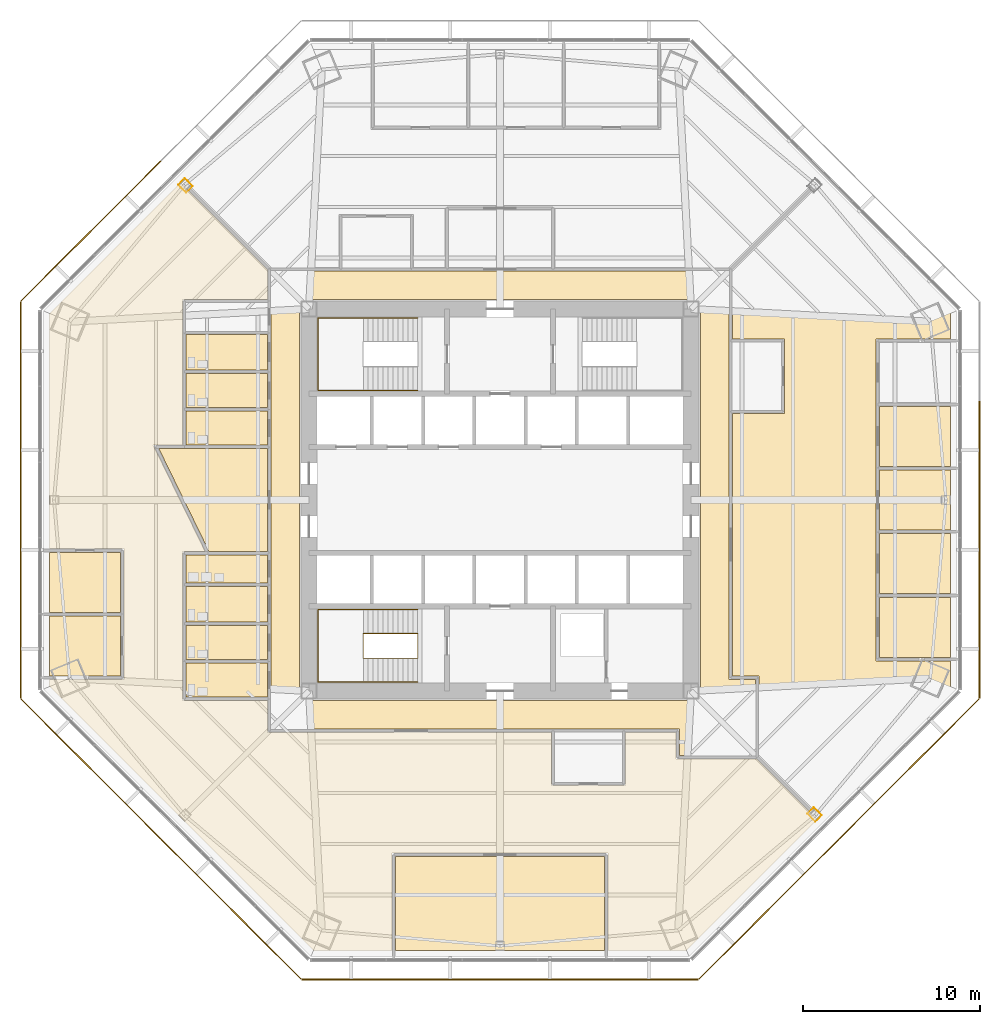
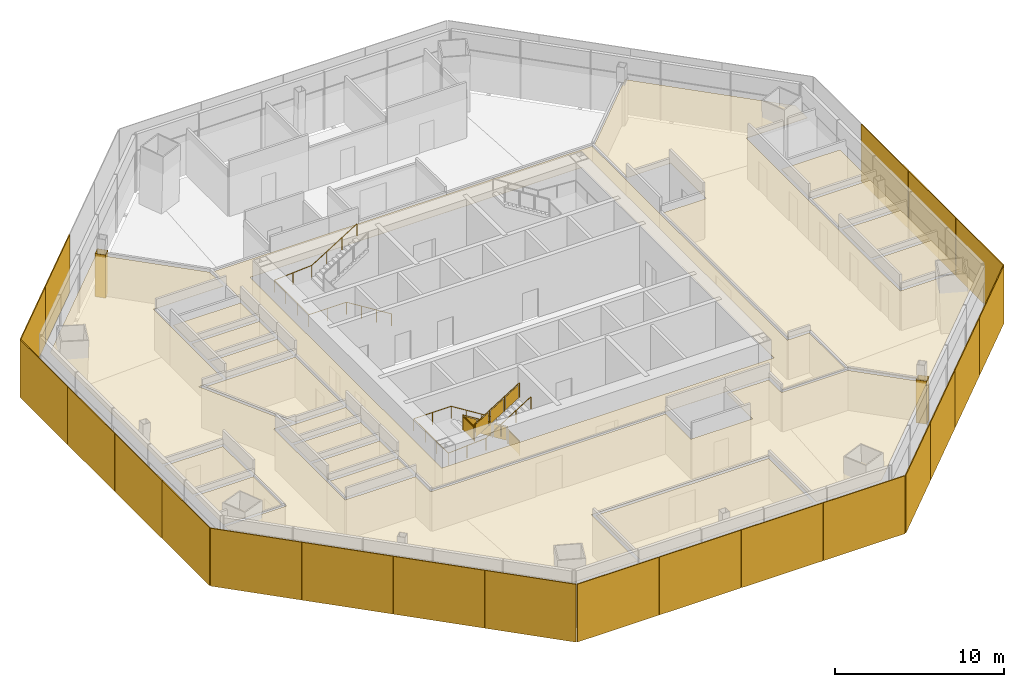
# One storey, part 13 of 15: 21 shading devices, 20 coverings, 3 railings.
"""IFC4 building model written with IfcOpenShell, lengths in metres."""

from ifc_helpers import new_model, si_unit, direction, frame, origin, origin_2d, place, context, subcontext, project, spatial, polyline, rectangle, circle, outline, extrude, source, transform, mapped, material, layer, layer_set, type_object, type_shapes, element, save


model = new_model("IFC4")

# Units and contexts
model_context = context("Model", 3, precision=1e-05, world=origin(), true_north=direction((0.0, 1.0)))
body_context = subcontext(model_context, "Body", "Model", "MODEL_VIEW")
ifc_project = project(units=[si_unit("LENGTHUNIT", "METRE"), si_unit("AREAUNIT", "SQUARE_METRE"), si_unit("VOLUMEUNIT", "CUBIC_METRE"), si_unit("PLANEANGLEUNIT", "RADIAN"), si_unit("MASSUNIT", "GRAM", prefix="KILO")], contexts=[model_context])

# Site, building, storey
site_placement = place(None, origin())
site = spatial("IfcSite", under=ifc_project, at=site_placement, CompositionType="ELEMENT")
building_placement = place(site_placement, origin())
building = spatial("IfcBuilding", under=site, at=building_placement, Name="Mashrafa Tower", CompositionType="ELEMENT")
storey_placement = place(building_placement, frame((0.0, 0.0, 70.800048828125)))
storey = spatial("IfcBuildingStorey", under=building, at=storey_placement, Name="L15", CompositionType="ELEMENT", Elevation=70.800048828125)

# Coverings
ifc_material_1 = material(Name="Gypsum board")
ifc_layer_1 = layer(ifc_material_1, 0.014892578125)
ifc_layer_set_1 = layer_set([ifc_layer_1], Name="Column casing plasterboard 15")
covering_type_1 = type_object("IfcCoveringType", Name="Column casing plasterboard 15", PredefinedType="CLADDING", material=ifc_layer_set_1)
covering_1_placement = place(storey_placement, origin())
element("IfcCovering", 1, at=covering_1_placement, inside=storey, type_object=covering_type_1, Name="Column casing L15-002", PredefinedType="CLADDING", context=body_context, shape_type="SweptSolid", body=[
    extrude(outline(polyline([(-18.202392578125, 17.82763671875), (-17.82763671875, 18.202392578125), (-17.36865234375, 17.743408203125), (-17.743408203125, 17.36865234375), (-18.202392578125, 17.82763671875)]), holes=[polyline([(-17.389892578125, 17.743408203125), (-17.82763671875, 18.18115234375), (-18.18115234375, 17.82763671875), (-17.743408203125, 17.389892578125), (-17.389892578125, 17.743408203125)])]), origin(), (0.0, 0.0, 1.0), 3.113037109375),
])
covering_2_placement = place(storey_placement, origin())
element("IfcCovering", 2, at=covering_2_placement, inside=storey, type_object=covering_type_1, Name="Column casing L15-003", PredefinedType="CLADDING", context=body_context, shape_type="SweptSolid", body=[
    extrude(outline(polyline([(17.36865234375, -17.743408203125), (17.743408203125, -17.36865234375), (18.202392578125, -17.82763671875), (17.82763671875, -18.202392578125), (17.36865234375, -17.743408203125)]), holes=[polyline([(18.18115234375, -17.82763671875), (17.743408203125, -17.389892578125), (17.389892578125, -17.743408203125), (17.82763671875, -18.18115234375), (18.18115234375, -17.82763671875)])]), origin(), (0.0, 0.0, 1.0), 3.113037109375),
])

# Railings
ifc_material_2 = material(Name="Steel guard with glass infill", Category="steel")
railing_type_1 = type_object("IfcRailingType", Name="Stair guard 1100", PredefinedType="GUARDRAIL", material=ifc_material_2)
railing_1_placement = place(storey_placement, frame((-4.64990234375, -8.949951171875, 0.0)))
element("IfcRailing", 3, at=railing_1_placement, inside=storey, type_object=railing_type_1, Name="Stair S3 guard L15", PredefinedType="GUARDRAIL", context=body_context, shape_type="SweptSolid", body=[
    extrude(circle(Radius=0.02392578125, at=origin_2d()), frame((0.0, 0.0, 1.076171875), z_axis=(0.0, 1.0, 0.0), x_axis=(-1.0, 0.0, 0.0)), (0.0, 0.0, 1.0), 1.39990234375),
    extrude(circle(Radius=0.02392578125, at=origin_2d()), frame((0.0, 1.39990234375, 1.076171875), z_axis=(0.0, 0.0, 1.0), x_axis=(1.0, 0.0, 0.0)), (0.0, 0.0, 1.0), 0.175048828125),
    extrude(circle(Radius=0.02392578125, at=origin_2d()), frame((0.0, 1.39990234375, 1.2509765625), z_axis=(-0.848028513186, 0.0, 0.529950602248), x_axis=(0.0, -1.0, 0.0)), (0.0, 0.0, 1.0), 3.632080078125),
    extrude(circle(Radius=0.02392578125, at=origin_2d()), frame((-3.080078125, 1.39990234375, 3.17578125), z_axis=(0.0, -1.0, 0.0), x_axis=(1.0, 0.0, 0.0)), (0.0, 0.0, 1.0), 1.39990234375),
    extrude(circle(Radius=0.02392578125, at=origin_2d()), frame((-3.080078125, 0.0, 3.17578125), z_axis=(0.0, 0.0, 1.0), x_axis=(1.0, 0.0, 0.0)), (0.0, 0.0, 1.0), 0.175048828125),
    extrude(circle(Radius=0.02392578125, at=origin_2d()), frame((-3.080078125, 0.0, 3.35107421875), z_axis=(0.847998304005, 0.0, 0.529998940003), x_axis=(0.0, 1.0, 0.0)), (0.0, 0.0, 1.0), 3.632080078125),
    extrude(circle(Radius=0.02099609375, at=origin_2d()), origin(), (0.0, 0.0, 1.0), 1.052001953125),
    extrude(circle(Radius=0.02099609375, at=origin_2d()), frame((0.0, 1.39990234375, 0.0)), (0.0, 0.0, 1.0), 1.052001953125),
    extrude(circle(Radius=0.02099609375, at=origin_2d()), frame((0.0, 1.39990234375, 0.175048828125)), (0.0, 0.0, 1.0), 1.052001953125),
    extrude(circle(Radius=0.02099609375, at=origin_2d()), frame((-1.026611328125, 1.39990234375, 0.816650390625)), (0.0, 0.0, 1.0), 1.052001953125),
    extrude(circle(Radius=0.02099609375, at=origin_2d()), frame((-2.053466796875, 1.39990234375, 1.458251953125)), (0.0, 0.0, 1.0), 1.052001953125),
    extrude(circle(Radius=0.02099609375, at=origin_2d()), frame((-3.080078125, 1.39990234375, 2.099853515625)), (0.0, 0.0, 1.0), 1.052001953125),
    extrude(circle(Radius=0.02099609375, at=origin_2d()), frame((-3.080078125, 0.0, 2.099853515625)), (0.0, 0.0, 1.0), 1.052001953125),
    extrude(circle(Radius=0.02099609375, at=origin_2d()), frame((-3.080078125, 0.0, 2.27490234375)), (0.0, 0.0, 1.0), 1.052001953125),
    extrude(circle(Radius=0.02099609375, at=origin_2d()), frame((-2.053466796875, 0.0, 2.91650390625)), (0.0, 0.0, 1.0), 1.052001953125),
    extrude(circle(Radius=0.02099609375, at=origin_2d()), frame((-1.026611328125, 0.0, 3.558349609375)), (0.0, 0.0, 1.0), 1.052001953125),
    extrude(circle(Radius=0.02099609375, at=origin_2d()), frame((0.0, 0.0, 4.199951171875)), (0.0, 0.0, 1.0), 1.052001953125),
    extrude(outline(polyline([(0.071044921875, 0.050048828125), (1.328857421875, 0.050048828125), (1.328857421875, 1.001953125), (0.071044921875, 1.001953125), (0.071044921875, 0.050048828125)])), frame((0.006103515625, 0.0, 0.0), z_axis=(1.0, 0.0, 0.0), x_axis=(0.0, 1.0, 0.0)), (0.0, 0.0, 1.0), 0.011962890625),
    extrude(outline(polyline([(0.071044921875, 0.094482421875), (0.955810546875, 0.647216796875), (0.955810546875, 1.59912109375), (0.071044921875, 1.04638671875), (0.071044921875, 0.094482421875)])), frame((0.0, 1.406005859375, 0.175048828125), z_axis=(0.0, 1.0, 0.0), x_axis=(-1.0, 0.0, 0.0)), (0.0, 0.0, 1.0), 0.011962890625),
    extrude(outline(polyline([(1.09765625, 0.736083984375), (1.982421875, 1.288818359375), (1.982421875, 2.24072265625), (1.09765625, 1.68798828125), (1.09765625, 0.736083984375)])), frame((0.0, 1.406005859375, 0.175048828125), z_axis=(0.0, 1.0, 0.0), x_axis=(-1.0, 0.0, 0.0)), (0.0, 0.0, 1.0), 0.011962890625),
    extrude(outline(polyline([(2.124267578125, 1.377685546875), (3.009033203125, 1.930419921875), (3.009033203125, 2.88232421875), (2.124267578125, 2.32958984375), (2.124267578125, 1.377685546875)])), frame((0.0, 1.406005859375, 0.175048828125), z_axis=(0.0, 1.0, 0.0), x_axis=(-1.0, 0.0, 0.0)), (0.0, 0.0, 1.0), 0.011962890625),
    extrude(outline(polyline([(0.071044921875, 0.050048828125), (1.328857421875, 0.050048828125), (1.328857421875, 1.001953125), (0.071044921875, 1.001953125), (0.071044921875, 0.050048828125)])), frame((-3.086181640625, 1.39990234375, 2.099853515625), z_axis=(-1.0, 0.0, 0.0), x_axis=(0.0, -1.0, 0.0)), (0.0, 0.0, 1.0), 0.011962890625),
    extrude(outline(polyline([(0.071044921875, 0.094482421875), (0.955810546875, 0.647216796875), (0.955810546875, 1.599365234375), (0.071044921875, 1.04638671875), (0.071044921875, 0.094482421875)])), frame((-3.080078125, -0.006103515625, 2.27490234375), z_axis=(0.0, -1.0, 0.0), x_axis=(1.0, 0.0, 0.0)), (0.0, 0.0, 1.0), 0.011962890625),
    extrude(outline(polyline([(1.09765625, 0.736083984375), (1.982421875, 1.2890625), (1.982421875, 2.240966796875), (1.09765625, 1.68798828125), (1.09765625, 0.736083984375)])), frame((-3.080078125, -0.006103515625, 2.27490234375), z_axis=(0.0, -1.0, 0.0), x_axis=(1.0, 0.0, 0.0)), (0.0, 0.0, 1.0), 0.011962890625),
    extrude(outline(polyline([(2.124267578125, 1.377685546875), (3.009033203125, 1.9306640625), (3.009033203125, 2.882568359375), (2.124267578125, 2.329833984375), (2.124267578125, 1.377685546875)])), frame((-3.080078125, -0.006103515625, 2.27490234375), z_axis=(0.0, -1.0, 0.0), x_axis=(1.0, 0.0, 0.0)), (0.0, 0.0, 1.0), 0.011962890625),
])
ifc_material_3 = material(Name="Steel", Category="steel")
railing_type_2 = type_object("IfcRailingType", Name="Stair handrail 900", PredefinedType="HANDRAIL", material=ifc_material_3)
railing_2_placement = place(storey_placement, frame((-4.64990234375, 6.199951171875, 0.175048828125)))
element("IfcRailing", 4, at=railing_2_placement, inside=storey, type_object=railing_type_2, Name="Stair S1 handrail L15", PredefinedType="HANDRAIL", context=body_context, shape_type="SweptSolid", body=[
    extrude(circle(Radius=0.02392578125, at=origin_2d()), frame((0.0, 0.0, 0.8759765625), z_axis=(-0.848028513186, 0.0, 0.529950602248), x_axis=(0.0, -1.0, 0.0)), (0.0, 0.0, 1.0), 3.632080078125),
    extrude(circle(Radius=0.02392578125, at=origin_2d()), frame((-3.080078125, 0.0, 2.80078125), z_axis=(-1.0, 0.0, 0.0), x_axis=(0.0, -1.0, 0.0)), (0.0, 0.0, 1.0), 2.570068359375),
    extrude(circle(Radius=0.02392578125, at=origin_2d()), frame((-5.650146484375, 0.0, 2.80078125), z_axis=(0.0, 1.0, 0.0), x_axis=(-1.0, 0.0, 0.0)), (0.0, 0.0, 1.0), 4.10009765625),
    extrude(circle(Radius=0.02392578125, at=origin_2d()), frame((-5.650146484375, 4.10009765625, 2.80078125), z_axis=(0.997688514158, 0.0, 0.067953136188), x_axis=(0.0, 1.0, 0.0)), (0.0, 0.0, 1.0), 2.575927734375),
    extrude(circle(Radius=0.02392578125, at=origin_2d()), frame((-3.080078125, 4.10009765625, 2.9755859375), z_axis=(0.847998304005, 0.0, 0.529998940003), x_axis=(0.0, 1.0, 0.0)), (0.0, 0.0, 1.0), 3.632080078125),
    extrude(circle(Radius=0.02099609375, at=origin_2d()), origin(), (0.0, 0.0, 1.0), 0.851806640625),
    extrude(circle(Radius=0.02099609375, at=origin_2d()), frame((-1.026611328125, 0.0, 0.6416015625)), (0.0, 0.0, 1.0), 0.851806640625),
    extrude(circle(Radius=0.02099609375, at=origin_2d()), frame((-2.053466796875, 0.0, 1.283203125)), (0.0, 0.0, 1.0), 0.851806640625),
    extrude(circle(Radius=0.02099609375, at=origin_2d()), frame((-3.080078125, 0.0, 1.9248046875)), (0.0, 0.0, 1.0), 0.851806640625),
    extrude(circle(Radius=0.02099609375, at=origin_2d()), frame((-4.365234375, 0.0, 1.9248046875)), (0.0, 0.0, 1.0), 0.851806640625),
    extrude(circle(Radius=0.02099609375, at=origin_2d()), frame((-5.650146484375, 0.0, 1.9248046875)), (0.0, 0.0, 1.0), 0.851806640625),
    extrude(circle(Radius=0.02099609375, at=origin_2d()), frame((-5.650146484375, 1.36669921875, 1.9248046875)), (0.0, 0.0, 1.0), 0.851806640625),
    extrude(circle(Radius=0.02099609375, at=origin_2d()), frame((-5.650146484375, 2.7333984375, 1.9248046875)), (0.0, 0.0, 1.0), 0.851806640625),
    extrude(circle(Radius=0.02099609375, at=origin_2d()), frame((-5.650146484375, 4.10009765625, 1.9248046875)), (0.0, 0.0, 1.0), 0.851806640625),
    extrude(circle(Radius=0.02099609375, at=origin_2d()), frame((-4.365234375, 4.10009765625, 2.01220703125)), (0.0, 0.0, 1.0), 0.851806640625),
    extrude(circle(Radius=0.02099609375, at=origin_2d()), frame((-3.080078125, 4.10009765625, 2.099853515625)), (0.0, 0.0, 1.0), 0.851806640625),
    extrude(circle(Radius=0.02099609375, at=origin_2d()), frame((-2.053466796875, 4.10009765625, 2.741455078125)), (0.0, 0.0, 1.0), 0.851806640625),
    extrude(circle(Radius=0.02099609375, at=origin_2d()), frame((-1.026611328125, 4.10009765625, 3.38330078125)), (0.0, 0.0, 1.0), 0.851806640625),
    extrude(circle(Radius=0.02099609375, at=origin_2d()), frame((0.0, 4.10009765625, 4.02490234375)), (0.0, 0.0, 1.0), 0.851806640625),
])
railing_3_placement = place(storey_placement, frame((-4.64990234375, -6.199951171875, 0.175048828125)))
element("IfcRailing", 5, at=railing_3_placement, inside=storey, type_object=railing_type_2, Name="Stair S3 handrail L15", PredefinedType="HANDRAIL", context=body_context, shape_type="SweptSolid", body=[
    extrude(circle(Radius=0.02392578125, at=origin_2d()), frame((0.0, 0.0, 0.8759765625), z_axis=(-0.848028513186, 0.0, 0.529950602248), x_axis=(0.0, -1.0, 0.0)), (0.0, 0.0, 1.0), 3.632080078125),
    extrude(circle(Radius=0.02392578125, at=origin_2d()), frame((-3.080078125, 0.0, 2.80078125), z_axis=(-1.0, 0.0, 0.0), x_axis=(0.0, -1.0, 0.0)), (0.0, 0.0, 1.0), 2.570068359375),
    extrude(circle(Radius=0.02392578125, at=origin_2d()), frame((-5.650146484375, 0.0, 2.80078125), z_axis=(0.0, -1.0, 0.0), x_axis=(1.0, 0.0, 0.0)), (0.0, 0.0, 1.0), 4.10009765625),
    extrude(circle(Radius=0.02392578125, at=origin_2d()), frame((-5.650146484375, -4.10009765625, 2.80078125), z_axis=(0.997688514158, 0.0, 0.067953136188), x_axis=(0.0, 1.0, 0.0)), (0.0, 0.0, 1.0), 2.575927734375),
    extrude(circle(Radius=0.02392578125, at=origin_2d()), frame((-3.080078125, -4.10009765625, 2.9755859375), z_axis=(0.847998304005, 0.0, 0.529998940003), x_axis=(0.0, 1.0, 0.0)), (0.0, 0.0, 1.0), 3.632080078125),
    extrude(circle(Radius=0.02099609375, at=origin_2d()), origin(), (0.0, 0.0, 1.0), 0.851806640625),
    extrude(circle(Radius=0.02099609375, at=origin_2d()), frame((-1.026611328125, 0.0, 0.6416015625)), (0.0, 0.0, 1.0), 0.851806640625),
    extrude(circle(Radius=0.02099609375, at=origin_2d()), frame((-2.053466796875, 0.0, 1.283203125)), (0.0, 0.0, 1.0), 0.851806640625),
    extrude(circle(Radius=0.02099609375, at=origin_2d()), frame((-3.080078125, 0.0, 1.9248046875)), (0.0, 0.0, 1.0), 0.851806640625),
    extrude(circle(Radius=0.02099609375, at=origin_2d()), frame((-4.365234375, 0.0, 1.9248046875)), (0.0, 0.0, 1.0), 0.851806640625),
    extrude(circle(Radius=0.02099609375, at=origin_2d()), frame((-5.650146484375, 0.0, 1.9248046875)), (0.0, 0.0, 1.0), 0.851806640625),
    extrude(circle(Radius=0.02099609375, at=origin_2d()), frame((-5.650146484375, -1.36669921875, 1.9248046875)), (0.0, 0.0, 1.0), 0.851806640625),
    extrude(circle(Radius=0.02099609375, at=origin_2d()), frame((-5.650146484375, -2.7333984375, 1.9248046875)), (0.0, 0.0, 1.0), 0.851806640625),
    extrude(circle(Radius=0.02099609375, at=origin_2d()), frame((-5.650146484375, -4.10009765625, 1.9248046875)), (0.0, 0.0, 1.0), 0.851806640625),
    extrude(circle(Radius=0.02099609375, at=origin_2d()), frame((-4.365234375, -4.10009765625, 2.01220703125)), (0.0, 0.0, 1.0), 0.851806640625),
    extrude(circle(Radius=0.02099609375, at=origin_2d()), frame((-3.080078125, -4.10009765625, 2.099853515625)), (0.0, 0.0, 1.0), 0.851806640625),
    extrude(circle(Radius=0.02099609375, at=origin_2d()), frame((-2.053466796875, -4.10009765625, 2.741455078125)), (0.0, 0.0, 1.0), 0.851806640625),
    extrude(circle(Radius=0.02099609375, at=origin_2d()), frame((-1.026611328125, -4.10009765625, 3.38330078125)), (0.0, 0.0, 1.0), 0.851806640625),
    extrude(circle(Radius=0.02099609375, at=origin_2d()), frame((0.0, -4.10009765625, 4.02490234375)), (0.0, 0.0, 1.0), 0.851806640625),
])

# Coverings
ifc_material_4 = material(Name="Mineral fibre tile on suspension grid")
ifc_layer_2 = layer(ifc_material_4, 0.014892578125)
ifc_layer_set_2 = layer_set([ifc_layer_2], Name="Suspended ceiling mineral tile 15")
covering_type_2 = type_object("IfcCoveringType", Name="Suspended ceiling mineral tile 15", PredefinedType="CEILING", material=ifc_layer_set_2)
covering_3_placement = place(storey_placement, frame((0.0, 0.0, 2.89990234375)))
element("IfcCovering", 6, at=covering_3_placement, inside=storey, type_object=covering_type_2, Name="Ceiling Office Corridor L15", PredefinedType="CEILING", context=body_context, shape_type="SweptSolid", body=[
    extrude(outline(polyline([(14.449951171875, -10.14990234375), (14.449951171875, -14.449951171875), (10.14990234375, -14.449951171875), (10.14990234375, -12.949951171875), (-12.949951171875, -12.949951171875), (-12.949951171875, 12.949951171875), (12.949951171875, 12.949951171875), (12.949951171875, -10.14990234375), (14.449951171875, -10.14990234375)]), holes=[polyline([(11.35009765625, 11.35009765625), (-11.35009765625, 11.35009765625), (-11.35009765625, -11.35009765625), (11.35009765625, -11.35009765625), (11.35009765625, 11.35009765625)])]), origin(), (0.0, 0.0, 1.0), 0.01513671875),
])
covering_4_placement = place(storey_placement, frame((0.0, 0.0, 2.89990234375)))
element("IfcCovering", 7, at=covering_4_placement, inside=storey, type_object=covering_type_2, Name="Ceiling WC Female L15 N", PredefinedType="CEILING", context=body_context, shape_type="SweptSolid", body=[
    extrude(outline(polyline([(-17.75, 3.10009765625), (-17.75, 5.02490234375), (-13.14990234375, 5.02490234375), (-13.14990234375, 3.10009765625), (-17.75, 3.10009765625)])), origin(), (0.0, 0.0, 1.0), 0.01513671875),
])
covering_5_placement = place(storey_placement, frame((0.0, 0.0, 2.89990234375)))
element("IfcCovering", 8, at=covering_5_placement, inside=storey, type_object=covering_type_2, Name="Ceiling WC Male L15 N", PredefinedType="CEILING", context=body_context, shape_type="SweptSolid", body=[
    extrude(outline(polyline([(-17.75, 5.22509765625), (-17.75, 7.14990234375), (-13.14990234375, 7.14990234375), (-13.14990234375, 5.22509765625), (-17.75, 5.22509765625)])), origin(), (0.0, 0.0, 1.0), 0.01513671875),
])
covering_6_placement = place(storey_placement, frame((0.0, 0.0, 2.89990234375)))
element("IfcCovering", 9, at=covering_6_placement, inside=storey, type_object=covering_type_2, Name="Ceiling Accessible WC L15 N", PredefinedType="CEILING", context=body_context, shape_type="SweptSolid", body=[
    extrude(outline(polyline([(-17.75, 7.35009765625), (-17.75, 9.35009765625), (-13.14990234375, 9.35009765625), (-13.14990234375, 7.35009765625), (-17.75, 7.35009765625)])), origin(), (0.0, 0.0, 1.0), 0.01513671875),
])
covering_7_placement = place(storey_placement, frame((0.0, 0.0, 2.89990234375)))
element("IfcCovering", 10, at=covering_7_placement, inside=storey, type_object=covering_type_2, Name="Ceiling WC Female L15 S", PredefinedType="CEILING", context=body_context, shape_type="SweptSolid", body=[
    extrude(outline(polyline([(-17.75, -11.14990234375), (-17.75, -9.22509765625), (-13.14990234375, -9.22509765625), (-13.14990234375, -11.14990234375), (-17.75, -11.14990234375)])), origin(), (0.0, 0.0, 1.0), 0.01513671875),
])
covering_8_placement = place(storey_placement, frame((0.0, 0.0, 2.89990234375)))
element("IfcCovering", 11, at=covering_8_placement, inside=storey, type_object=covering_type_2, Name="Ceiling WC Male L15 S", PredefinedType="CEILING", context=body_context, shape_type="SweptSolid", body=[
    extrude(outline(polyline([(-17.75, -9.02490234375), (-17.75, -7.10009765625), (-13.14990234375, -7.10009765625), (-13.14990234375, -9.02490234375), (-17.75, -9.02490234375)])), origin(), (0.0, 0.0, 1.0), 0.01513671875),
])
covering_9_placement = place(storey_placement, frame((0.0, 0.0, 2.89990234375)))
element("IfcCovering", 12, at=covering_9_placement, inside=storey, type_object=covering_type_2, Name="Ceiling Accessible WC L15 S", PredefinedType="CEILING", context=body_context, shape_type="SweptSolid", body=[
    extrude(outline(polyline([(-17.75, -6.89990234375), (-17.75, -4.89990234375), (-13.14990234375, -4.89990234375), (-13.14990234375, -6.89990234375), (-17.75, -6.89990234375)])), origin(), (0.0, 0.0, 1.0), 0.01513671875),
])
covering_10_placement = place(storey_placement, frame((0.0, 0.0, 2.89990234375)))
element("IfcCovering", 13, at=covering_10_placement, inside=storey, type_object=covering_type_2, Name="Ceiling Ablution Room L15 S", PredefinedType="CEILING", context=body_context, shape_type="SweptSolid", body=[
    extrude(outline(polyline([(-17.75, -4.699951171875), (-17.75, -3.10009765625), (-13.14990234375, -3.10009765625), (-13.14990234375, -4.699951171875), (-17.75, -4.699951171875)])), origin(), (0.0, 0.0, 1.0), 0.01513671875),
])
covering_11_placement = place(storey_placement, frame((0.0, 0.0, 2.89990234375)))
element("IfcCovering", 14, at=covering_11_placement, inside=storey, type_object=covering_type_2, Name="Ceiling Musallah Prayer Room 15", PredefinedType="CEILING", context=body_context, shape_type="SweptSolid", body=[
    extrude(outline(polyline([(-16.461181640625, -2.89990234375), (-19.2900390625, 2.89990234375), (-13.14990234375, 2.89990234375), (-13.14990234375, -2.89990234375), (-16.461181640625, -2.89990234375)])), origin(), (0.0, 0.0, 1.0), 0.01513671875),
])
covering_12_placement = place(storey_placement, frame((0.0, 0.0, 2.89990234375)))
element("IfcCovering", 15, at=covering_12_placement, inside=storey, type_object=covering_type_2, Name="Ceiling Meeting Room 15-S", PredefinedType="CEILING", context=body_context, shape_type="SweptSolid", body=[
    extrude(outline(polyline([(-5.89990234375, -20.161865234375), (5.89990234375, -20.161865234375), (5.89990234375, -25.4619140625), (-5.89990234375, -25.4619140625), (-5.89990234375, -20.161865234375)])), origin(), (0.0, 0.0, 1.0), 0.01513671875),
])
covering_13_placement = place(storey_placement, frame((0.0, 0.0, 2.89990234375)))
element("IfcCovering", 16, at=covering_13_placement, inside=storey, type_object=covering_type_2, Name="Ceiling Office 15-E-1", PredefinedType="CEILING", context=body_context, shape_type="SweptSolid", body=[
    extrude(outline(polyline([(21.4619140625, -5.5), (25.4619140625, -5.5), (25.4619140625, -8.89990234375), (21.4619140625, -8.89990234375), (21.4619140625, -5.5)])), origin(), (0.0, 0.0, 1.0), 0.01513671875),
])
covering_14_placement = place(storey_placement, frame((0.0, 0.0, 2.89990234375)))
element("IfcCovering", 17, at=covering_14_placement, inside=storey, type_object=covering_type_2, Name="Ceiling Office 15-E-2", PredefinedType="CEILING", context=body_context, shape_type="SweptSolid", body=[
    extrude(outline(polyline([(21.4619140625, -1.89990234375), (25.4619140625, -1.89990234375), (25.4619140625, -5.300048828125), (21.4619140625, -5.300048828125), (21.4619140625, -1.89990234375)])), origin(), (0.0, 0.0, 1.0), 0.01513671875),
])
covering_15_placement = place(storey_placement, frame((0.0, 0.0, 2.89990234375)))
element("IfcCovering", 18, at=covering_15_placement, inside=storey, type_object=covering_type_2, Name="Ceiling Office 15-E-3", PredefinedType="CEILING", context=body_context, shape_type="SweptSolid", body=[
    extrude(outline(polyline([(21.4619140625, 1.699951171875), (25.4619140625, 1.699951171875), (25.4619140625, -1.699951171875), (21.4619140625, -1.699951171875), (21.4619140625, 1.699951171875)])), origin(), (0.0, 0.0, 1.0), 0.01513671875),
])
covering_16_placement = place(storey_placement, frame((0.0, 0.0, 2.89990234375)))
element("IfcCovering", 19, at=covering_16_placement, inside=storey, type_object=covering_type_2, Name="Ceiling Office 15-E-4", PredefinedType="CEILING", context=body_context, shape_type="SweptSolid", body=[
    extrude(outline(polyline([(21.4619140625, 5.300048828125), (25.4619140625, 5.300048828125), (25.4619140625, 1.89990234375), (21.4619140625, 1.89990234375), (21.4619140625, 5.300048828125)])), origin(), (0.0, 0.0, 1.0), 0.01513671875),
])
covering_17_placement = place(storey_placement, frame((0.0, 0.0, 2.89990234375)))
element("IfcCovering", 20, at=covering_17_placement, inside=storey, type_object=covering_type_2, Name="Ceiling Office 15-S-1", PredefinedType="CEILING", context=body_context, shape_type="SweptSolid", body=[
    extrude(outline(polyline([(-21.4619140625, -2.955078125), (-21.4619140625, -6.35498046875), (-25.4619140625, -6.35498046875), (-25.4619140625, -2.955078125), (-21.4619140625, -2.955078125)])), origin(), (0.0, 0.0, 1.0), 0.01513671875),
])
covering_18_placement = place(storey_placement, frame((0.0, 0.0, 2.89990234375)))
element("IfcCovering", 21, at=covering_18_placement, inside=storey, type_object=covering_type_2, Name="Ceiling Office 15-S-2", PredefinedType="CEILING", context=body_context, shape_type="SweptSolid", body=[
    extrude(outline(polyline([(-21.4619140625, -6.554931640625), (-21.4619140625, -9.955078125), (-25.4619140625, -9.955078125), (-25.4619140625, -6.554931640625), (-21.4619140625, -6.554931640625)])), origin(), (0.0, 0.0, 1.0), 0.01513671875),
])
covering_19_placement = place(storey_placement, frame((0.0, 0.0, 2.89990234375)))
element("IfcCovering", 22, at=covering_19_placement, inside=storey, type_object=covering_type_2, Name="Ceiling Office Tenancy 15-E", PredefinedType="CEILING", context=body_context, shape_type="SweptSolid", body=[
    extrude(outline(polyline([(13.14990234375, 13.008544921875), (18.074951171875, 17.93359375), (25.4619140625, 10.546630859375), (25.4619140625, 9.10009765625), (21.261962890625, 9.10009765625), (21.261962890625, -9.10009765625), (25.4619140625, -9.10009765625), (25.4619140625, -10.546630859375), (18.074951171875, -17.93359375), (14.64990234375, -14.508544921875), (14.64990234375, -9.949951171875), (13.14990234375, -9.949951171875), (13.14990234375, 4.89990234375), (16.10009765625, 4.89990234375), (16.10009765625, 9.10009765625), (13.14990234375, 9.10009765625), (13.14990234375, 13.008544921875)])), origin(), (0.0, 0.0, 1.0), 0.01513671875),
])
covering_20_placement = place(storey_placement, frame((0.0, 0.0, 2.89990234375)))
element("IfcCovering", 23, at=covering_20_placement, inside=storey, type_object=covering_type_2, Name="Ceiling Office Tenancy 15-S", PredefinedType="CEILING", context=body_context, shape_type="SweptSolid", body=[
    extrude(outline(polyline([(14.508544921875, -14.64990234375), (17.93359375, -18.074951171875), (10.546630859375, -25.4619140625), (6.10009765625, -25.4619140625), (6.10009765625, -19.9619140625), (-6.10009765625, -19.9619140625), (-6.10009765625, -25.4619140625), (-10.546630859375, -25.4619140625), (-25.4619140625, -10.546630859375), (-25.4619140625, -10.155029296875), (-21.261962890625, -10.155029296875), (-21.261962890625, -2.7548828125), (-25.4619140625, -2.7548828125), (-25.4619140625, 10.546630859375), (-18.074951171875, 17.93359375), (-13.14990234375, 13.008544921875), (-13.14990234375, 11.35009765625), (-17.949951171875, 11.35009765625), (-17.949951171875, 3.10009765625), (-19.610107421875, 3.10009765625), (-16.68359375, -2.89990234375), (-17.949951171875, -2.89990234375), (-17.949951171875, -11.35009765625), (-13.14990234375, -11.35009765625), (-13.14990234375, -13.14990234375), (2.89990234375, -13.14990234375), (2.89990234375, -16.14990234375), (7.10009765625, -16.14990234375), (7.10009765625, -13.14990234375), (9.949951171875, -13.14990234375), (9.949951171875, -14.64990234375), (14.508544921875, -14.64990234375)])), origin(), (0.0, 0.0, 1.0), 0.01513671875),
])

# Shading devices
ifc_material_5 = material(Name="Perforated aluminium plate, eight-point star pattern", Category="aluminium")
ifc_layer_3 = layer(ifc_material_5, 0.06005859375)
ifc_layer_set_3 = layer_set([ifc_layer_3], Name="Mashrabiya screen panel office zone 1, 45 percent open")
shading_device_type = type_object("IfcShadingDeviceType", Name="Mashrabiya screen panel office zone 1, 45 percent open", PredefinedType="SHUTTER", material=ifc_layer_set_3)
shared_shape = source(origin(), body_context, "Body", "SweptSolid", [
    extrude(rectangle(XDim=5.583740234375, YDim=0.06005859375, at=origin_2d()), origin(), (0.0, 0.0, 1.0), 4.179931640625),
])
type_shapes(shading_device_type, [shared_shape])
for number, where, z_axis, x_axis, name in (
    (24, (27.11181640625, -8.40576171875, -0.14990234375), (0.0, 0.0, 1.0), (0.0, 1.0, 0.0), "Mashrabiya screen L15 east 1"),
    (25, (27.11181640625, -2.802001953125, -0.14990234375), (0.0, 0.0, 1.0), (0.0, 1.0, 0.0), "Mashrabiya screen L15 east 2"),
    (26, (27.11181640625, 2.802001953125, -0.14990234375), (0.0, 0.0, 1.0), (0.0, 1.0, 0.0), "Mashrabiya screen L15 east 3"),
    (27, (-21.15234375, 17.189697265625, -0.14990234375), (0.0, 0.0, 1.0), (-0.707106781187, -0.707106781187, 0.0), "Mashrabiya screen L15 north-west 3"),
    (28, (-25.11474609375, 13.227294921875, -0.14990234375), (0.0, 0.0, 1.0), (-0.707106781187, -0.707106781187, 0.0), "Mashrabiya screen L15 north-west 4"),
    (29, (-27.11181640625, 8.40576171875, -0.14990234375), (0.0, 0.0, 1.0), (0.0, -1.0, 0.0), "Mashrabiya screen L15 west 1"),
    (30, (-27.11181640625, 2.802001953125, -0.14990234375), (0.0, 0.0, 1.0), (0.0, -1.0, 0.0), "Mashrabiya screen L15 west 2"),
    (31, (-27.11181640625, -2.802001953125, -0.14990234375), (0.0, 0.0, 1.0), (0.0, -1.0, 0.0), "Mashrabiya screen L15 west 3"),
    (32, (-27.11181640625, -8.40576171875, -0.14990234375), (0.0, 0.0, 1.0), (0.0, -1.0, 0.0), "Mashrabiya screen L15 west 4"),
    (33, (-25.11474609375, -13.227294921875, -0.14990234375), (0.0, 0.0, 1.0), (0.707106781187, -0.707106781187, 0.0), "Mashrabiya screen L15 south-west 1"),
    (34, (-21.15234375, -17.189697265625, -0.14990234375), (0.0, 0.0, 1.0), (0.707106781187, -0.707106781187, 0.0), "Mashrabiya screen L15 south-west 2"),
    (35, (-17.189697265625, -21.15234375, -0.14990234375), (0.0, 0.0, 1.0), (0.707106781187, -0.707106781187, 0.0), "Mashrabiya screen L15 south-west 3"),
    (36, (-13.227294921875, -25.11474609375, -0.14990234375), (0.0, 0.0, 1.0), (0.707106781187, -0.707106781187, 0.0), "Mashrabiya screen L15 south-west 4"),
    (37, (-8.40576171875, -27.11181640625, -0.14990234375), (0.0, 0.0, 1.0), (1.0, 0.0, 0.0), "Mashrabiya screen L15 south 1"),
    (38, (-2.802001953125, -27.11181640625, -0.14990234375), (0.0, 0.0, 1.0), (1.0, 0.0, 0.0), "Mashrabiya screen L15 south 2"),
    (39, (2.802001953125, -27.11181640625, -0.14990234375), (0.0, 0.0, 1.0), (1.0, 0.0, 0.0), "Mashrabiya screen L15 south 3"),
    (40, (8.40576171875, -27.11181640625, -0.14990234375), (0.0, 0.0, 1.0), (1.0, 0.0, 0.0), "Mashrabiya screen L15 south 4"),
    (41, (13.227294921875, -25.11474609375, -0.14990234375), (0.0, 0.0, 1.0), (0.707106781187, 0.707106781187, 0.0), "Mashrabiya screen L15 south-east 1"),
    (42, (17.189697265625, -21.15234375, -0.14990234375), (0.0, 0.0, 1.0), (0.707106781187, 0.707106781187, 0.0), "Mashrabiya screen L15 south-east 2"),
    (43, (21.15234375, -17.189697265625, -0.14990234375), (0.0, 0.0, 1.0), (0.707106781187, 0.707106781187, 0.0), "Mashrabiya screen L15 south-east 3"),
    (44, (25.11474609375, -13.227294921875, -0.14990234375), (0.0, 0.0, 1.0), (0.707106781187, 0.707106781187, 0.0), "Mashrabiya screen L15 south-east 4"),
):
    element("IfcShadingDevice", number, at=place(storey_placement, frame(where, z_axis=z_axis, x_axis=x_axis)), inside=storey, type_object=shading_device_type, Name=name, PredefinedType="SHUTTER", context=body_context, shape_type="MappedRepresentation", body=[
        mapped(shared_shape, transform((0.0, 0.0, 0.0))),
    ])

save(model, "model.ifc")
